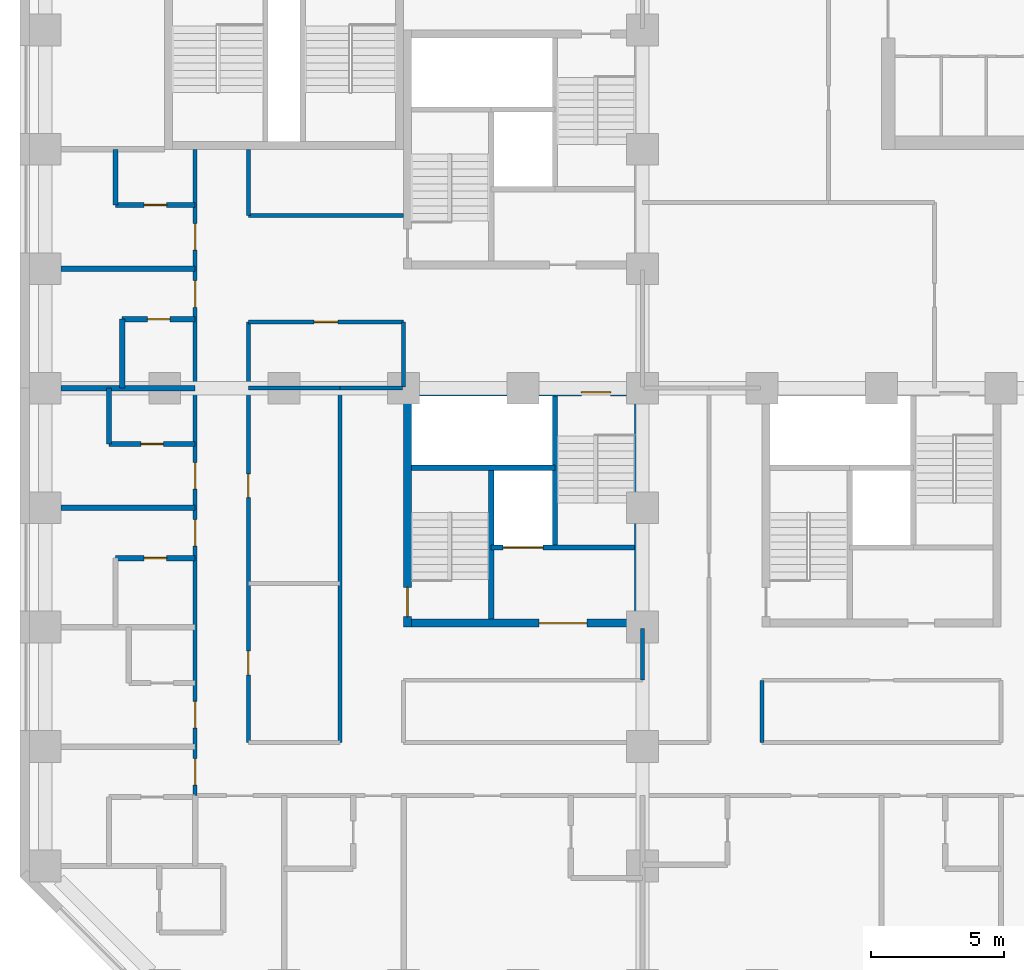
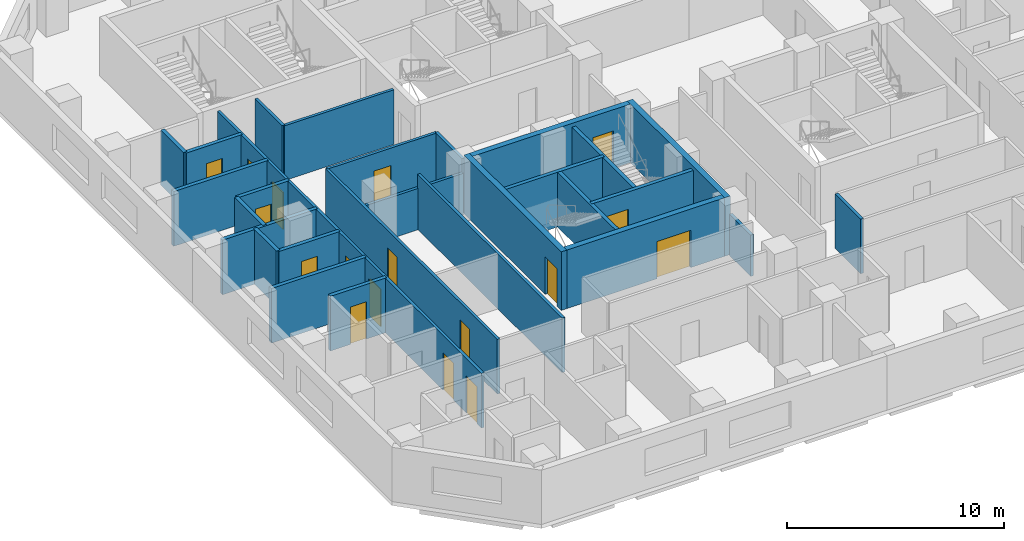
# One storey, part 3 of 12: 29 walls, 17 doors, 17 openings.
"""IFC4 building model written with IfcOpenShell, lengths in metres."""

from ifc_helpers import new_model, si_unit, direction, frame, frame_2d, origin, place, context, subcontext, project, spatial, rectangle, extrude, material, layer, layer_set, type_object, element, fill, save


model = new_model("IFC4")

# Units and contexts
model_context = context("Model", 3, precision=1e-05, world=origin(), true_north=direction((0.0, 1.0)))
body_context = subcontext(model_context, "Body", "Model", "MODEL_VIEW")
ifc_project = project(units=[si_unit("LENGTHUNIT", "METRE"), si_unit("AREAUNIT", "SQUARE_METRE"), si_unit("VOLUMEUNIT", "CUBIC_METRE"), si_unit("PLANEANGLEUNIT", "RADIAN"), si_unit("MASSUNIT", "GRAM", prefix="KILO")], contexts=[model_context])

# Site, building, storey
site_placement = place(None, origin())
site = spatial("IfcSite", under=ifc_project, at=site_placement, CompositionType="ELEMENT")
building_placement = place(site_placement, origin())
building = spatial("IfcBuilding", under=site, at=building_placement, Name="Quoin Convention Tower", CompositionType="ELEMENT")
storey_placement = place(building_placement, frame((0.0, 0.0, 59.39990234375)))
storey = spatial("IfcBuildingStorey", under=building, at=storey_placement, Name="L15", CompositionType="ELEMENT", Elevation=59.39990234375)

# Wall, opening, door
ifc_material_1 = material(Name="Concrete C50", Category="concrete")
ifc_layer_1 = layer(ifc_material_1, 0.199951171875)
ifc_layer_set_1 = layer_set([ifc_layer_1], Name="Concrete C50")
wall_type_1 = type_object("IfcWallType", Name="Core shaft wall", PredefinedType="SOLIDWALL", material=ifc_layer_set_1)
wall_1_placement = place(storey_placement, frame((30.300048828125, 34.5, 0.0), z_axis=(0.0, 0.0, 1.0), x_axis=(1.0, 0.0, 0.0)))
wall_1 = element("IfcWall", 1, at=wall_1_placement, inside=storey, type_object=wall_type_1, Name="cr-P4-L15-h3000_3300", PredefinedType="SOLIDWALL", context=body_context, shape_type="SweptSolid", body=[
    extrude(rectangle(XDim=5.39990234375, YDim=0.199951171875, at=frame_2d((2.699951171875, 0.0))), origin(), (0.0, 0.0, 1.0), 3.080078125),
])
opening_1_placement = place(wall_1_placement, frame((0.449951171875, 0.0, 0.0)))
opening_1 = element("IfcOpeningElement", 2, at=opening_1_placement, cuts=wall_1, Name="Opening LDGL1", PredefinedType="OPENING", context=body_context, shape_type="SweptSolid", body=[
    extrude(rectangle(XDim=1.5, YDim=2.10009765625, at=frame_2d((0.75, 1.050048828125))), frame((0.0, 0.10986328125, 0.0), z_axis=(0.0, -1.0, 0.0), x_axis=(1.0, 0.0, 0.0)), (0.0, 0.0, 1.0), 0.219970703125),
])
ifc_material_2 = material(Name="Steel door leaf", Category="steel")
door_type_1 = type_object("IfcDoorType", Name="Lift landing door 1500 x 2100", OperationType="DOUBLE_DOOR_SLIDING", PredefinedType="DOOR", material=ifc_material_2)
door_1_placement = place(opening_1_placement, origin())
door_1 = element("IfcDoor", 3, at=door_1_placement, inside=storey, type_object=door_type_1, Name="cd-P4-L15-CEN-R2-LDGL1", OperationType="DOUBLE_DOOR_SLIDING", OverallHeight=2.10009765625, OverallWidth=1.5, PredefinedType="DOOR", context=body_context, shape_type="SweptSolid", body=[
    extrude(rectangle(XDim=1.5, YDim=2.10009765625, at=frame_2d((0.75, 1.050048828125))), frame((0.0, 0.02490234375, 0.0), z_axis=(0.0, -1.0, 0.0), x_axis=(1.0, 0.0, 0.0)), (0.0, 0.0, 1.0), 0.050048828125),
])
fill(opening_1, door_1)

# Walls
wall_2_placement = place(storey_placement, frame((27.300048828125, 37.5, 0.0), z_axis=(0.0, 0.0, 1.0), x_axis=(1.0, 0.0, 0.0)))
element("IfcWall", 4, at=wall_2_placement, inside=storey, type_object=wall_type_1, Name="cr-P4-L15-h6000_300", PredefinedType="SOLIDWALL", context=body_context, shape_type="SweptSolid", body=[
    extrude(rectangle(XDim=5.39990234375, YDim=0.199951171875, at=frame_2d((2.699951171875, 0.0))), origin(), (0.0, 0.0, 1.0), 3.080078125),
])
for number, where, z_axis, x_axis, name in (
    (5, (30.300048828125, 31.800048828125, 0.0), (0.0, 0.0, 1.0), (0.0, 1.0, 0.0), "cr-P4-L15-v3300_300"),
    (6, (32.699951171875, 34.5, 0.0), (0.0, 0.0, 1.0), (0.0, 1.0, 0.0), "cr-P4-L15-v5700_3000"),
):
    element("IfcWall", number, at=place(storey_placement, frame(where, z_axis=z_axis, x_axis=x_axis)), inside=storey, type_object=wall_type_1, Name=name, PredefinedType="SOLIDWALL", context=body_context, shape_type="SweptSolid", body=[
        extrude(rectangle(XDim=5.699951171875, YDim=0.199951171875, at=frame_2d((2.85009765625, 0.0))), origin(), (0.0, 0.0, 1.0), 3.080078125),
    ])

# Wall, opening, door
ifc_material_3 = material(Name="Concrete C80", Category="concrete")
ifc_layer_2 = layer(ifc_material_3, 0.300048828125)
ifc_layer_set_2 = layer_set([ifc_layer_2], Name="Concrete C80")
wall_type_2 = type_object("IfcWallType", Name="RC CORE WALL 300 C80", PredefinedType="SHEAR", material=ifc_layer_set_2)
wall_3_placement = place(storey_placement, frame((27.300048828125, 31.64990234375, 0.0), z_axis=(0.0, 0.0, 1.0), x_axis=(1.0, 0.0, 0.0)))
wall_3 = element("IfcWall", 7, at=wall_3_placement, inside=storey, type_object=wall_type_2, Name="cwl-P4-L15-S", PredefinedType="SHEAR", context=body_context, shape_type="SweptSolid", body=[
    extrude(rectangle(XDim=8.39990234375, YDim=0.300048828125, at=frame_2d((4.199951171875, 0.0))), origin(), (0.0, 0.0, 1.0), 3.300048828125),
])
opening_2_placement = place(wall_3_placement, frame((4.800048828125, 0.0, 0.0)))
opening_2 = element("IfcOpeningElement", 8, at=opening_2_placement, cuts=wall_3, Name="Opening DCV5-53", PredefinedType="OPENING", context=body_context, shape_type="SweptSolid", body=[
    extrude(rectangle(XDim=1.800048828125, YDim=2.10009765625, at=frame_2d((0.89990234375, 1.050048828125))), frame((0.0, 0.159912109375, 0.0), z_axis=(0.0, -1.0, 0.0), x_axis=(1.0, 0.0, 0.0)), (0.0, 0.0, 1.0), 0.320068359375),
])
door_type_2 = type_object("IfcDoorType", Name="Goods lobby door 1800 x 2100", OperationType="SINGLE_SWING_LEFT", PredefinedType="DOOR", material=ifc_material_2)
door_2_placement = place(opening_2_placement, origin())
door_2 = element("IfcDoor", 9, at=door_2_placement, inside=storey, type_object=door_type_2, Name="cd-P4-L15-R2-S", OperationType="SINGLE_SWING_LEFT", OverallHeight=2.10009765625, OverallWidth=1.800048828125, PredefinedType="DOOR", context=body_context, shape_type="SweptSolid", body=[
    extrude(rectangle(XDim=1.800048828125, YDim=2.10009765625, at=frame_2d((0.89990234375, 1.050048828125))), frame((0.0, 0.02490234375, 0.0), z_axis=(0.0, -1.0, 0.0), x_axis=(1.0, 0.0, 0.0)), (0.0, 0.0, 1.0), 0.050048828125),
])
fill(opening_2, door_2)

wall_4_placement = place(storey_placement, frame((27.300048828125, 40.35009765625, 0.0), z_axis=(0.0, 0.0, 1.0), x_axis=(1.0, 0.0, 0.0)))
wall_4 = element("IfcWall", 10, at=wall_4_placement, inside=storey, type_object=wall_type_2, Name="cwl-P4-L15-N", PredefinedType="SHEAR", context=body_context, shape_type="SweptSolid", body=[
    extrude(rectangle(XDim=8.39990234375, YDim=0.300048828125, at=frame_2d((4.199951171875, 0.0))), origin(), (0.0, 0.0, 1.0), 3.300048828125),
])
opening_3_placement = place(wall_4_placement, frame((6.39990234375, 0.0, 0.0)))
opening_3 = element("IfcOpeningElement", 11, at=opening_3_placement, cuts=wall_4, Name="Opening SD8", PredefinedType="OPENING", context=body_context, shape_type="SweptSolid", body=[
    extrude(rectangle(XDim=1.10009765625, YDim=2.10009765625, at=frame_2d((0.550048828125, 1.050048828125))), frame((0.0, 0.159912109375, 0.0), z_axis=(0.0, -1.0, 0.0), x_axis=(1.0, 0.0, 0.0)), (0.0, 0.0, 1.0), 0.320068359375),
])
door_type_3 = type_object("IfcDoorType", Name="Stair door 1100 x 2100", OperationType="SINGLE_SWING_RIGHT", PredefinedType="DOOR", material=ifc_material_2)
door_3_placement = place(opening_3_placement, frame((1.10009765625, 0.0, 0.0), z_axis=(0.0, 0.0, 1.0), x_axis=(-1.0, 0.0, 0.0)))
door_3 = element("IfcDoor", 12, at=door_3_placement, inside=storey, type_object=door_type_3, Name="cd-P4-L15-SB-N", OperationType="SINGLE_SWING_LEFT", OverallHeight=2.10009765625, OverallWidth=1.10009765625, PredefinedType="DOOR", context=body_context, shape_type="SweptSolid", body=[
    extrude(rectangle(XDim=1.10009765625, YDim=2.10009765625, at=frame_2d((0.550048828125, 1.050048828125))), frame((0.0, 0.02490234375, 0.0), z_axis=(0.0, -1.0, 0.0), x_axis=(1.0, 0.0, 0.0)), (0.0, 0.0, 1.0), 0.050048828125),
])
fill(opening_3, door_3)

wall_5_placement = place(storey_placement, frame((27.14990234375, 31.5, 0.0), z_axis=(0.0, 0.0, 1.0), x_axis=(0.0, 1.0, 0.0)))
wall_5 = element("IfcWall", 13, at=wall_5_placement, inside=storey, type_object=wall_type_2, Name="cwl-P4-L15-W", PredefinedType="SHEAR", context=body_context, shape_type="SweptSolid", body=[
    extrude(rectangle(XDim=9.0, YDim=0.300048828125, at=frame_2d((4.5, 0.0))), origin(), (0.0, 0.0, 1.0), 3.300048828125),
])
opening_4_placement = place(wall_5_placement, frame((0.39990234375, 0.0, 0.0)))
opening_4 = element("IfcOpeningElement", 14, at=opening_4_placement, cuts=wall_5, Name="Opening SD7", PredefinedType="OPENING", context=body_context, shape_type="SweptSolid", body=[
    extrude(rectangle(XDim=1.10009765625, YDim=2.10009765625, at=frame_2d((0.550048828125, 1.050048828125))), frame((0.0, 0.159912109375, 0.0), z_axis=(0.0, -1.0, 0.0), x_axis=(1.0, 0.0, 0.0)), (0.0, 0.0, 1.0), 0.320068359375),
])
door_4_placement = place(opening_4_placement, frame((1.10009765625, 0.0, 0.0), z_axis=(0.0, 0.0, 1.0), x_axis=(-1.0, 0.0, 0.0)))
door_4 = element("IfcDoor", 15, at=door_4_placement, inside=storey, type_object=door_type_3, Name="cd-P4-L15-SA-W", OperationType="SINGLE_SWING_RIGHT", OverallHeight=2.10009765625, OverallWidth=1.10009765625, PredefinedType="DOOR", context=body_context, shape_type="SweptSolid", body=[
    extrude(rectangle(XDim=1.10009765625, YDim=2.10009765625, at=frame_2d((0.550048828125, 1.050048828125))), frame((0.0, 0.02490234375, 0.0), z_axis=(0.0, -1.0, 0.0), x_axis=(1.0, 0.0, 0.0)), (0.0, 0.0, 1.0), 0.050048828125),
])
fill(opening_4, door_4)

# Wall
wall_6_placement = place(storey_placement, frame((35.85009765625, 31.5, 0.0), z_axis=(0.0, 0.0, 1.0), x_axis=(0.0, 1.0, 0.0)))
element("IfcWall", 16, at=wall_6_placement, inside=storey, type_object=wall_type_2, Name="cwl-P4-L15-E", PredefinedType="SHEAR", context=body_context, shape_type="SweptSolid", body=[
    extrude(rectangle(XDim=9.0, YDim=0.300048828125, at=frame_2d((4.5, 0.0))), origin(), (0.0, 0.0, 1.0), 3.300048828125),
])

# Wall, opening, door
ifc_layer_3 = layer(ifc_material_1, 0.199951171875)
ifc_layer_set_3 = layer_set([ifc_layer_3], Name="Concrete C50")
wall_type_3 = type_object("IfcWallType", Name="RC party wall", PredefinedType="SOLIDWALL", material=ifc_layer_set_3)
wall_7_placement = place(storey_placement, frame((16.14990234375, 34.10009765625, 0.0), z_axis=(0.0, 0.0, 1.0), x_axis=(1.0, 0.0, 0.0)))
wall_7 = element("IfcWall", 17, at=wall_7_placement, inside=storey, type_object=wall_type_3, Name="pw-L15-077", PredefinedType="SOLIDWALL", context=body_context, shape_type="SweptSolid", body=[
    extrude(rectangle(XDim=3.0, YDim=0.199951171875, at=frame_2d((1.5, 0.0))), origin(), (0.0, 0.0, 1.0), 3.080078125),
])
opening_5_placement = place(wall_7_placement, frame((1.074951171875, 0.0, 0.0)))
opening_5 = element("IfcOpeningElement", 18, at=opening_5_placement, cuts=wall_7, Name="Opening DHOTEL-D-53", PredefinedType="OPENING", context=body_context, shape_type="SweptSolid", body=[
    extrude(rectangle(XDim=0.85009765625, YDim=2.10009765625, at=frame_2d((0.425048828125, 1.050048828125))), frame((0.0, 0.10986328125, 0.0), z_axis=(0.0, -1.0, 0.0), x_axis=(1.0, 0.0, 0.0)), (0.0, 0.0, 1.0), 0.219970703125),
])
door_type_4 = type_object("IfcDoorType", Name="Bathroom door", OperationType="SINGLE_SWING_LEFT", PredefinedType="DOOR", material=ifc_material_2)
door_5_placement = place(opening_5_placement, origin())
door_5 = element("IfcDoor", 19, at=door_5_placement, inside=storey, type_object=door_type_4, Name="dr-L15-014", OperationType="SINGLE_SWING_RIGHT", OverallHeight=2.10009765625, OverallWidth=0.85009765625, PredefinedType="DOOR", context=body_context, shape_type="SweptSolid", body=[
    extrude(rectangle(XDim=0.85009765625, YDim=2.10009765625, at=frame_2d((0.425048828125, 1.050048828125))), frame((0.0, 0.02490234375, 0.0), z_axis=(0.0, -1.0, 0.0), x_axis=(1.0, 0.0, 0.0)), (0.0, 0.0, 1.0), 0.050048828125),
])
fill(opening_5, door_5)

# Wall
wall_8_placement = place(storey_placement, frame((14.10009765625, 36.0, 0.0), z_axis=(0.0, 0.0, 1.0), x_axis=(1.0, 0.0, 0.0)))
element("IfcWall", 20, at=wall_8_placement, inside=storey, type_object=wall_type_3, Name="pw-L15-078", PredefinedType="SOLIDWALL", context=body_context, shape_type="SweptSolid", body=[
    extrude(rectangle(XDim=5.0498046875, YDim=0.199951171875, at=frame_2d((2.52490234375, 0.0))), origin(), (0.0, 0.0, 1.0), 3.080078125),
])

# Wall, opening, door
wall_9_placement = place(storey_placement, frame((15.89990234375, 38.39990234375, 0.0), z_axis=(0.0, 0.0, 1.0), x_axis=(1.0, 0.0, 0.0)))
wall_9 = element("IfcWall", 21, at=wall_9_placement, inside=storey, type_object=wall_type_3, Name="pw-L15-082", PredefinedType="SOLIDWALL", context=body_context, shape_type="SweptSolid", body=[
    extrude(rectangle(XDim=3.25, YDim=0.199951171875, at=frame_2d((1.625, 0.0))), origin(), (0.0, 0.0, 1.0), 3.080078125),
])
opening_6_placement = place(wall_9_placement, frame((1.199951171875, 0.0, 0.0)))
opening_6 = element("IfcOpeningElement", 22, at=opening_6_placement, cuts=wall_9, Name="Opening DHOTEL-D-55", PredefinedType="OPENING", context=body_context, shape_type="SweptSolid", body=[
    extrude(rectangle(XDim=0.85009765625, YDim=2.10009765625, at=frame_2d((0.425048828125, 1.050048828125))), frame((0.0, 0.10986328125, 0.0), z_axis=(0.0, -1.0, 0.0), x_axis=(1.0, 0.0, 0.0)), (0.0, 0.0, 1.0), 0.219970703125),
])
door_6_placement = place(opening_6_placement, frame((0.85009765625, 0.0, 0.0), z_axis=(0.0, 0.0, 1.0), x_axis=(-1.0, 0.0, 0.0)))
door_6 = element("IfcDoor", 23, at=door_6_placement, inside=storey, type_object=door_type_4, Name="dr-L15-016", OperationType="SINGLE_SWING_LEFT", OverallHeight=2.10009765625, OverallWidth=0.85009765625, PredefinedType="DOOR", context=body_context, shape_type="SweptSolid", body=[
    extrude(rectangle(XDim=0.85009765625, YDim=2.10009765625, at=frame_2d((0.425048828125, 1.050048828125))), frame((0.0, 0.02490234375, 0.0), z_axis=(0.0, -1.0, 0.0), x_axis=(1.0, 0.0, 0.0)), (0.0, 0.0, 1.0), 0.050048828125),
])
fill(opening_6, door_6)

# Walls
wall_10_placement = place(storey_placement, frame((15.89990234375, 38.39990234375, 0.0), z_axis=(0.0, 0.0, 1.0), x_axis=(0.0, 1.0, 0.0)))
element("IfcWall", 24, at=wall_10_placement, inside=storey, type_object=wall_type_3, Name="pw-L15-083", PredefinedType="SOLIDWALL", context=body_context, shape_type="SweptSolid", body=[
    extrude(rectangle(XDim=2.10009765625, YDim=0.199951171875, at=frame_2d((1.050048828125, 0.0))), origin(), (0.0, 0.0, 1.0), 3.080078125),
])
wall_11_placement = place(storey_placement, frame((14.10009765625, 40.5, 0.0), z_axis=(0.0, 0.0, 1.0), x_axis=(1.0, 0.0, 0.0)))
element("IfcWall", 25, at=wall_11_placement, inside=storey, type_object=wall_type_3, Name="pw-L15-084", PredefinedType="SOLIDWALL", context=body_context, shape_type="SweptSolid", body=[
    extrude(rectangle(XDim=5.0498046875, YDim=0.199951171875, at=frame_2d((2.52490234375, 0.0))), origin(), (0.0, 0.0, 1.0), 3.080078125),
])
wall_12_placement = place(storey_placement, frame((16.39990234375, 40.5, 0.0), z_axis=(0.0, 0.0, 1.0), x_axis=(0.0, 1.0, 0.0)))
element("IfcWall", 26, at=wall_12_placement, inside=storey, type_object=wall_type_3, Name="pw-L15-085", PredefinedType="SOLIDWALL", context=body_context, shape_type="SweptSolid", body=[
    extrude(rectangle(XDim=2.60009765625, YDim=0.199951171875, at=frame_2d((1.300048828125, 0.0))), origin(), (0.0, 0.0, 1.0), 3.080078125),
])

# Wall, opening, door
wall_13_placement = place(storey_placement, frame((16.39990234375, 43.10009765625, 0.0), z_axis=(0.0, 0.0, 1.0), x_axis=(1.0, 0.0, 0.0)))
wall_13 = element("IfcWall", 27, at=wall_13_placement, inside=storey, type_object=wall_type_3, Name="pw-L15-091", PredefinedType="SOLIDWALL", context=body_context, shape_type="SweptSolid", body=[
    extrude(rectangle(XDim=2.75, YDim=0.199951171875, at=frame_2d((1.375, 0.0))), origin(), (0.0, 0.0, 1.0), 3.080078125),
])
opening_7_placement = place(wall_13_placement, frame((0.949951171875, 0.0, 0.0)))
opening_7 = element("IfcOpeningElement", 28, at=opening_7_placement, cuts=wall_13, Name="Opening DHOTEL-D-57", PredefinedType="OPENING", context=body_context, shape_type="SweptSolid", body=[
    extrude(rectangle(XDim=0.85009765625, YDim=2.10009765625, at=frame_2d((0.425048828125, 1.050048828125))), frame((0.0, 0.10986328125, 0.0), z_axis=(0.0, -1.0, 0.0), x_axis=(1.0, 0.0, 0.0)), (0.0, 0.0, 1.0), 0.219970703125),
])
door_7_placement = place(opening_7_placement, origin())
door_7 = element("IfcDoor", 29, at=door_7_placement, inside=storey, type_object=door_type_4, Name="dr-L15-018", OperationType="SINGLE_SWING_RIGHT", OverallHeight=2.10009765625, OverallWidth=0.85009765625, PredefinedType="DOOR", context=body_context, shape_type="SweptSolid", body=[
    extrude(rectangle(XDim=0.85009765625, YDim=2.10009765625, at=frame_2d((0.425048828125, 1.050048828125))), frame((0.0, 0.02490234375, 0.0), z_axis=(0.0, -1.0, 0.0), x_axis=(1.0, 0.0, 0.0)), (0.0, 0.0, 1.0), 0.050048828125),
])
fill(opening_7, door_7)

# Wall
wall_14_placement = place(storey_placement, frame((14.10009765625, 45.0, 0.0), z_axis=(0.0, 0.0, 1.0), x_axis=(1.0, 0.0, 0.0)))
element("IfcWall", 30, at=wall_14_placement, inside=storey, type_object=wall_type_3, Name="pw-L15-096", PredefinedType="SOLIDWALL", context=body_context, shape_type="SweptSolid", body=[
    extrude(rectangle(XDim=5.0498046875, YDim=0.199951171875, at=frame_2d((2.52490234375, 0.0))), origin(), (0.0, 0.0, 1.0), 3.080078125),
])

# Wall, opening, door
wall_15_placement = place(storey_placement, frame((16.14990234375, 47.39990234375, 0.0), z_axis=(0.0, 0.0, 1.0), x_axis=(1.0, 0.0, 0.0)))
wall_15 = element("IfcWall", 31, at=wall_15_placement, inside=storey, type_object=wall_type_3, Name="pw-L15-100", PredefinedType="SOLIDWALL", context=body_context, shape_type="SweptSolid", body=[
    extrude(rectangle(XDim=3.0, YDim=0.199951171875, at=frame_2d((1.5, 0.0))), origin(), (0.0, 0.0, 1.0), 3.080078125),
])
opening_8_placement = place(wall_15_placement, frame((1.074951171875, 0.0, 0.0)))
opening_8 = element("IfcOpeningElement", 32, at=opening_8_placement, cuts=wall_15, Name="Opening DHOTEL-D-60", PredefinedType="OPENING", context=body_context, shape_type="SweptSolid", body=[
    extrude(rectangle(XDim=0.85009765625, YDim=2.10009765625, at=frame_2d((0.425048828125, 1.050048828125))), frame((0.0, 0.10986328125, 0.0), z_axis=(0.0, -1.0, 0.0), x_axis=(1.0, 0.0, 0.0)), (0.0, 0.0, 1.0), 0.219970703125),
])
door_8_placement = place(opening_8_placement, frame((0.85009765625, 0.0, 0.0), z_axis=(0.0, 0.0, 1.0), x_axis=(-1.0, 0.0, 0.0)))
door_8 = element("IfcDoor", 33, at=door_8_placement, inside=storey, type_object=door_type_4, Name="dr-L15-020", OperationType="SINGLE_SWING_LEFT", OverallHeight=2.10009765625, OverallWidth=0.85009765625, PredefinedType="DOOR", context=body_context, shape_type="SweptSolid", body=[
    extrude(rectangle(XDim=0.85009765625, YDim=2.10009765625, at=frame_2d((0.425048828125, 1.050048828125))), frame((0.0, 0.02490234375, 0.0), z_axis=(0.0, -1.0, 0.0), x_axis=(1.0, 0.0, 0.0)), (0.0, 0.0, 1.0), 0.050048828125),
])
fill(opening_8, door_8)

# Wall
wall_16_placement = place(storey_placement, frame((16.14990234375, 47.39990234375, 0.0), z_axis=(0.0, 0.0, 1.0), x_axis=(0.0, 1.0, 0.0)))
element("IfcWall", 34, at=wall_16_placement, inside=storey, type_object=wall_type_3, Name="pw-L15-101", PredefinedType="SOLIDWALL", context=body_context, shape_type="SweptSolid", body=[
    extrude(rectangle(XDim=2.10009765625, YDim=0.199951171875, at=frame_2d((1.050048828125, 0.0))), origin(), (0.0, 0.0, 1.0), 3.080078125),
])

# Wall, openings, doors
ifc_material_4 = material(Name="Plasterboard")
ifc_layer_4 = layer(ifc_material_4, 0.012451171875, Name="Finish")
ifc_material_5 = material(Name="Steel stud framing", Category="steel")
ifc_layer_5 = layer(ifc_material_5, 0.125, Name="Structure")
ifc_layer_6 = layer(ifc_material_4, 0.012451171875, Name="Finish")
ifc_layer_set_4 = layer_set([ifc_layer_4, ifc_layer_5, ifc_layer_6], Name="Steel stud framing")
wall_type_4 = type_object("IfcWallType", Name="corridor partition", PredefinedType="PARTITIONING", material=ifc_layer_set_4)
wall_17_placement = place(storey_placement, frame((19.14990234375, 25.14990234375, 0.0), z_axis=(0.0, 0.0, 1.0), x_axis=(0.0, 1.0, 0.0)))
wall_17 = element("IfcWall", 35, at=wall_17_placement, inside=storey, type_object=wall_type_4, Name="pw-L15-006", PredefinedType="PARTITIONING", context=body_context, shape_type="SweptSolid", body=[
    extrude(rectangle(XDim=24.35009765625, YDim=0.14990234375, at=frame_2d((12.175048828125, 0.0))), origin(), (0.0, 0.0, 1.0), 3.080078125),
])
opening_9_placement = place(wall_17_placement, frame((0.39990234375, 0.0, 0.0)))
opening_9 = element("IfcOpeningElement", 36, at=opening_9_placement, cuts=wall_17, Name="Opening DHOTEL-D-07", PredefinedType="OPENING", context=body_context, shape_type="SweptSolid", body=[
    extrude(rectangle(XDim=1.0, YDim=2.10009765625, at=frame_2d((0.5, 1.050048828125))), frame((0.0, 0.0849609375, 0.0), z_axis=(0.0, -1.0, 0.0), x_axis=(1.0, 0.0, 0.0)), (0.0, 0.0, 1.0), 0.169921875),
])
opening_10_placement = place(wall_17_placement, frame((2.550048828125, 0.0, 0.0)))
opening_10 = element("IfcOpeningElement", 37, at=opening_10_placement, cuts=wall_17, Name="Opening DHOTEL-D-08", PredefinedType="OPENING", context=body_context, shape_type="SweptSolid", body=[
    extrude(rectangle(XDim=1.0, YDim=2.10009765625, at=frame_2d((0.5, 1.050048828125))), frame((0.0, 0.0849609375, 0.0), z_axis=(0.0, -1.0, 0.0), x_axis=(1.0, 0.0, 0.0)), (0.0, 0.0, 1.0), 0.169921875),
])
opening_11_placement = place(wall_17_placement, frame((9.39990234375, 0.0, 0.0)))
opening_11 = element("IfcOpeningElement", 38, at=opening_11_placement, cuts=wall_17, Name="Opening DHOTEL-D-09", PredefinedType="OPENING", context=body_context, shape_type="SweptSolid", body=[
    extrude(rectangle(XDim=1.0, YDim=2.10009765625, at=frame_2d((0.5, 1.050048828125))), frame((0.0, 0.0849609375, 0.0), z_axis=(0.0, -1.0, 0.0), x_axis=(1.0, 0.0, 0.0)), (0.0, 0.0, 1.0), 0.169921875),
])
opening_12_placement = place(wall_17_placement, frame((11.550048828125, 0.0, 0.0)))
opening_12 = element("IfcOpeningElement", 39, at=opening_12_placement, cuts=wall_17, Name="Opening DHOTEL-D-10", PredefinedType="OPENING", context=body_context, shape_type="SweptSolid", body=[
    extrude(rectangle(XDim=1.0, YDim=2.10009765625, at=frame_2d((0.5, 1.050048828125))), frame((0.0, 0.0849609375, 0.0), z_axis=(0.0, -1.0, 0.0), x_axis=(1.0, 0.0, 0.0)), (0.0, 0.0, 1.0), 0.169921875),
])
opening_13_placement = place(wall_17_placement, frame((18.39990234375, 0.0, 0.0)))
opening_13 = element("IfcOpeningElement", 40, at=opening_13_placement, cuts=wall_17, Name="Opening DHOTEL-D-11", PredefinedType="OPENING", context=body_context, shape_type="SweptSolid", body=[
    extrude(rectangle(XDim=1.0, YDim=2.10009765625, at=frame_2d((0.5, 1.050048828125))), frame((0.0, 0.0849609375, 0.0), z_axis=(0.0, -1.0, 0.0), x_axis=(1.0, 0.0, 0.0)), (0.0, 0.0, 1.0), 0.169921875),
])
opening_14_placement = place(wall_17_placement, frame((20.550048828125, 0.0, 0.0)))
opening_14 = element("IfcOpeningElement", 41, at=opening_14_placement, cuts=wall_17, Name="Opening DHOTEL-D-12", PredefinedType="OPENING", context=body_context, shape_type="SweptSolid", body=[
    extrude(rectangle(XDim=1.0, YDim=2.10009765625, at=frame_2d((0.5, 1.050048828125))), frame((0.0, 0.0849609375, 0.0), z_axis=(0.0, -1.0, 0.0), x_axis=(1.0, 0.0, 0.0)), (0.0, 0.0, 1.0), 0.169921875),
])
door_type_5 = type_object("IfcDoorType", Name="Hotel room door", OperationType="SINGLE_SWING_LEFT", PredefinedType="DOOR", material=ifc_material_2)
door_9_placement = place(opening_9_placement, origin())
door_9 = element("IfcDoor", 42, at=door_9_placement, inside=storey, type_object=door_type_5, Name="dr-L15-009", OperationType="SINGLE_SWING_RIGHT", OverallHeight=2.10009765625, OverallWidth=1.0, PredefinedType="DOOR", context=body_context, shape_type="SweptSolid", body=[
    extrude(rectangle(XDim=1.0, YDim=2.10009765625, at=frame_2d((0.5, 1.050048828125))), frame((0.0, 0.02490234375, 0.0), z_axis=(0.0, -1.0, 0.0), x_axis=(1.0, 0.0, 0.0)), (0.0, 0.0, 1.0), 0.050048828125),
])
fill(opening_9, door_9)
door_10_placement = place(opening_10_placement, origin())
door_10 = element("IfcDoor", 43, at=door_10_placement, inside=storey, type_object=door_type_5, Name="dr-L15-011", OperationType="SINGLE_SWING_RIGHT", OverallHeight=2.10009765625, OverallWidth=1.0, PredefinedType="DOOR", context=body_context, shape_type="SweptSolid", body=[
    extrude(rectangle(XDim=1.0, YDim=2.10009765625, at=frame_2d((0.5, 1.050048828125))), frame((0.0, 0.02490234375, 0.0), z_axis=(0.0, -1.0, 0.0), x_axis=(1.0, 0.0, 0.0)), (0.0, 0.0, 1.0), 0.050048828125),
])
fill(opening_10, door_10)
door_11_placement = place(opening_11_placement, origin())
door_11 = element("IfcDoor", 44, at=door_11_placement, inside=storey, type_object=door_type_5, Name="dr-L15-013", OperationType="SINGLE_SWING_RIGHT", OverallHeight=2.10009765625, OverallWidth=1.0, PredefinedType="DOOR", context=body_context, shape_type="SweptSolid", body=[
    extrude(rectangle(XDim=1.0, YDim=2.10009765625, at=frame_2d((0.5, 1.050048828125))), frame((0.0, 0.02490234375, 0.0), z_axis=(0.0, -1.0, 0.0), x_axis=(1.0, 0.0, 0.0)), (0.0, 0.0, 1.0), 0.050048828125),
])
fill(opening_11, door_11)
door_12_placement = place(opening_12_placement, origin())
door_12 = element("IfcDoor", 45, at=door_12_placement, inside=storey, type_object=door_type_5, Name="dr-L15-015", OperationType="SINGLE_SWING_RIGHT", OverallHeight=2.10009765625, OverallWidth=1.0, PredefinedType="DOOR", context=body_context, shape_type="SweptSolid", body=[
    extrude(rectangle(XDim=1.0, YDim=2.10009765625, at=frame_2d((0.5, 1.050048828125))), frame((0.0, 0.02490234375, 0.0), z_axis=(0.0, -1.0, 0.0), x_axis=(1.0, 0.0, 0.0)), (0.0, 0.0, 1.0), 0.050048828125),
])
fill(opening_12, door_12)
door_13_placement = place(opening_13_placement, origin())
door_13 = element("IfcDoor", 46, at=door_13_placement, inside=storey, type_object=door_type_5, Name="dr-L15-017", OperationType="SINGLE_SWING_RIGHT", OverallHeight=2.10009765625, OverallWidth=1.0, PredefinedType="DOOR", context=body_context, shape_type="SweptSolid", body=[
    extrude(rectangle(XDim=1.0, YDim=2.10009765625, at=frame_2d((0.5, 1.050048828125))), frame((0.0, 0.02490234375, 0.0), z_axis=(0.0, -1.0, 0.0), x_axis=(1.0, 0.0, 0.0)), (0.0, 0.0, 1.0), 0.050048828125),
])
fill(opening_13, door_13)
door_14_placement = place(opening_14_placement, origin())
door_14 = element("IfcDoor", 47, at=door_14_placement, inside=storey, type_object=door_type_5, Name="dr-L15-019", OperationType="SINGLE_SWING_RIGHT", OverallHeight=2.10009765625, OverallWidth=1.0, PredefinedType="DOOR", context=body_context, shape_type="SweptSolid", body=[
    extrude(rectangle(XDim=1.0, YDim=2.10009765625, at=frame_2d((0.5, 1.050048828125))), frame((0.0, 0.02490234375, 0.0), z_axis=(0.0, -1.0, 0.0), x_axis=(1.0, 0.0, 0.0)), (0.0, 0.0, 1.0), 0.050048828125),
])
fill(opening_14, door_14)

wall_18_placement = place(storey_placement, frame((21.14990234375, 27.14990234375, 0.0), z_axis=(0.0, 0.0, 1.0), x_axis=(0.0, 1.0, 0.0)))
wall_18 = element("IfcWall", 48, at=wall_18_placement, inside=storey, type_object=wall_type_4, Name="pw-L15-009", PredefinedType="PARTITIONING", context=body_context, shape_type="SweptSolid", body=[
    extrude(rectangle(XDim=15.85009765625, YDim=0.14990234375, at=frame_2d((7.925048828125, 0.0))), origin(), (0.0, 0.0, 1.0), 3.080078125),
])
opening_15_placement = place(wall_18_placement, frame((2.550048828125, 0.0, 0.0)))
opening_15 = element("IfcOpeningElement", 49, at=opening_15_placement, cuts=wall_18, Name="Opening DHOTEL-D-18", PredefinedType="OPENING", context=body_context, shape_type="SweptSolid", body=[
    extrude(rectangle(XDim=0.89990234375, YDim=2.10009765625, at=frame_2d((0.449951171875, 1.050048828125))), frame((0.0, 0.0849609375, 0.0), z_axis=(0.0, -1.0, 0.0), x_axis=(1.0, 0.0, 0.0)), (0.0, 0.0, 1.0), 0.169921875),
])
opening_16_placement = place(wall_18_placement, frame((9.22509765625, 0.0, 0.0)))
opening_16 = element("IfcOpeningElement", 50, at=opening_16_placement, cuts=wall_18, Name="Opening DHOTEL-D-19", PredefinedType="OPENING", context=body_context, shape_type="SweptSolid", body=[
    extrude(rectangle(XDim=0.89990234375, YDim=2.10009765625, at=frame_2d((0.449951171875, 1.050048828125))), frame((0.0, 0.0849609375, 0.0), z_axis=(0.0, -1.0, 0.0), x_axis=(1.0, 0.0, 0.0)), (0.0, 0.0, 1.0), 0.169921875),
])
door_type_6 = type_object("IfcDoorType", Name="Service room door", OperationType="SINGLE_SWING_LEFT", PredefinedType="DOOR", material=ifc_material_2)
door_15_placement = place(opening_15_placement, frame((0.89990234375, 0.0, 0.0), z_axis=(0.0, 0.0, 1.0), x_axis=(-1.0, 0.0, 0.0)))
door_15 = element("IfcDoor", 51, at=door_15_placement, inside=storey, type_object=door_type_6, Name="dr-L15-071", OperationType="SINGLE_SWING_LEFT", OverallHeight=2.10009765625, OverallWidth=0.89990234375, PredefinedType="DOOR", context=body_context, shape_type="SweptSolid", body=[
    extrude(rectangle(XDim=0.89990234375, YDim=2.10009765625, at=frame_2d((0.449951171875, 1.050048828125))), frame((0.0, 0.02490234375, 0.0), z_axis=(0.0, -1.0, 0.0), x_axis=(1.0, 0.0, 0.0)), (0.0, 0.0, 1.0), 0.050048828125),
])
fill(opening_15, door_15)
door_16_placement = place(opening_16_placement, frame((0.89990234375, 0.0, 0.0), z_axis=(0.0, 0.0, 1.0), x_axis=(-1.0, 0.0, 0.0)))
door_16 = element("IfcDoor", 52, at=door_16_placement, inside=storey, type_object=door_type_6, Name="dr-L15-072", OperationType="SINGLE_SWING_LEFT", OverallHeight=2.10009765625, OverallWidth=0.89990234375, PredefinedType="DOOR", context=body_context, shape_type="SweptSolid", body=[
    extrude(rectangle(XDim=0.89990234375, YDim=2.10009765625, at=frame_2d((0.449951171875, 1.050048828125))), frame((0.0, 0.02490234375, 0.0), z_axis=(0.0, -1.0, 0.0), x_axis=(1.0, 0.0, 0.0)), (0.0, 0.0, 1.0), 0.050048828125),
])
fill(opening_16, door_16)

# Walls
wall_19_placement = place(storey_placement, frame((24.60009765625, 27.14990234375, 0.0), z_axis=(0.0, 0.0, 1.0), x_axis=(0.0, 1.0, 0.0)))
element("IfcWall", 53, at=wall_19_placement, inside=storey, type_object=wall_type_4, Name="pw-L15-010", PredefinedType="PARTITIONING", context=body_context, shape_type="SweptSolid", body=[
    extrude(rectangle(XDim=13.35009765625, YDim=0.14990234375, at=frame_2d((6.675048828125, 0.0))), origin(), (0.0, 0.0, 1.0), 3.080078125),
])
wall_20_placement = place(storey_placement, frame((40.5, 27.14990234375, 0.0), z_axis=(0.0, 0.0, 1.0), x_axis=(0.0, 1.0, 0.0)))
element("IfcWall", 54, at=wall_20_placement, inside=storey, type_object=wall_type_4, Name="pw-L15-015", PredefinedType="PARTITIONING", context=body_context, shape_type="SweptSolid", body=[
    extrude(rectangle(XDim=2.35009765625, YDim=0.14990234375, at=frame_2d((1.175048828125, 0.0))), origin(), (0.0, 0.0, 1.0), 3.080078125),
])
wall_21_placement = place(storey_placement, frame((27.0, 40.550048828125, 0.0), z_axis=(0.0, 0.0, 1.0), x_axis=(0.0, 1.0, 0.0)))
element("IfcWall", 55, at=wall_21_placement, inside=storey, type_object=wall_type_4, Name="pw-L15-022", PredefinedType="PARTITIONING", context=body_context, shape_type="SweptSolid", body=[
    extrude(rectangle(XDim=2.449951171875, YDim=0.14990234375, at=frame_2d((1.22509765625, 0.0))), origin(), (0.0, 0.0, 1.0), 3.080078125),
])

# Wall, opening, door
wall_22_placement = place(storey_placement, frame((21.14990234375, 43.0, 0.0), z_axis=(0.0, 0.0, 1.0), x_axis=(1.0, 0.0, 0.0)))
wall_22 = element("IfcWall", 56, at=wall_22_placement, inside=storey, type_object=wall_type_4, Name="pw-L15-025", PredefinedType="PARTITIONING", context=body_context, shape_type="SweptSolid", body=[
    extrude(rectangle(XDim=5.85009765625, YDim=0.14990234375, at=frame_2d((2.925048828125, 0.0))), origin(), (0.0, 0.0, 1.0), 3.080078125),
])
opening_17_placement = place(wall_22_placement, frame((2.47509765625, 0.0, 0.0)))
opening_17 = element("IfcOpeningElement", 57, at=opening_17_placement, cuts=wall_22, Name="Opening DHOTEL-D-23", PredefinedType="OPENING", context=body_context, shape_type="SweptSolid", body=[
    extrude(rectangle(XDim=0.89990234375, YDim=2.10009765625, at=frame_2d((0.449951171875, 1.050048828125))), frame((0.0, 0.0849609375, 0.0), z_axis=(0.0, -1.0, 0.0), x_axis=(1.0, 0.0, 0.0)), (0.0, 0.0, 1.0), 0.169921875),
])
door_type_7 = type_object("IfcDoorType", Name="Toilet door", OperationType="SINGLE_SWING_LEFT", PredefinedType="DOOR", material=ifc_material_2)
door_17_placement = place(opening_17_placement, frame((0.89990234375, 0.0, 0.0), z_axis=(0.0, 0.0, 1.0), x_axis=(-1.0, 0.0, 0.0)))
door_17 = element("IfcDoor", 58, at=door_17_placement, inside=storey, type_object=door_type_7, Name="dr-L15-076", OperationType="SINGLE_SWING_LEFT", OverallHeight=2.10009765625, OverallWidth=0.89990234375, PredefinedType="DOOR", context=body_context, shape_type="SweptSolid", body=[
    extrude(rectangle(XDim=0.89990234375, YDim=2.10009765625, at=frame_2d((0.449951171875, 1.050048828125))), frame((0.0, 0.02490234375, 0.0), z_axis=(0.0, -1.0, 0.0), x_axis=(1.0, 0.0, 0.0)), (0.0, 0.0, 1.0), 0.050048828125),
])
fill(opening_17, door_17)

# Walls
wall_23_placement = place(storey_placement, frame((21.14990234375, 47.0, 0.0), z_axis=(0.0, 0.0, 1.0), x_axis=(1.0, 0.0, 0.0)))
element("IfcWall", 59, at=wall_23_placement, inside=storey, type_object=wall_type_4, Name="pw-L15-026", PredefinedType="PARTITIONING", context=body_context, shape_type="SweptSolid", body=[
    extrude(rectangle(XDim=5.85009765625, YDim=0.14990234375, at=frame_2d((2.925048828125, 0.0))), origin(), (0.0, 0.0, 1.0), 3.080078125),
])
wall_24_placement = place(storey_placement, frame((21.14990234375, 47.0, 0.0), z_axis=(0.0, 0.0, 1.0), x_axis=(0.0, 1.0, 0.0)))
element("IfcWall", 60, at=wall_24_placement, inside=storey, type_object=wall_type_4, Name="pw-L15-027", PredefinedType="PARTITIONING", context=body_context, shape_type="SweptSolid", body=[
    extrude(rectangle(XDim=2.5, YDim=0.14990234375, at=frame_2d((1.25, 0.0))), origin(), (0.0, 0.0, 1.0), 3.080078125),
])
ifc_layer_7 = layer(ifc_material_4, 0.012451171875, Name="Finish")
ifc_layer_8 = layer(ifc_material_5, 0.125, Name="Structure")
ifc_layer_9 = layer(ifc_material_4, 0.012451171875, Name="Finish")
ifc_layer_set_5 = layer_set([ifc_layer_7, ifc_layer_8, ifc_layer_9], Name="Steel stud framing")
wall_type_5 = type_object("IfcWallType", Name="corridor partition under beam 750", PredefinedType="PARTITIONING", material=ifc_layer_set_5)
wall_25_placement = place(storey_placement, frame((36.0, 29.5, 0.0), z_axis=(0.0, 0.0, 1.0), x_axis=(0.0, 1.0, 0.0)))
element("IfcWall", 61, at=wall_25_placement, inside=storey, type_object=wall_type_5, Name="pw-L15-018", PredefinedType="PARTITIONING", context=body_context, shape_type="SweptSolid", body=[
    extrude(rectangle(XDim=1.949951171875, YDim=0.14990234375, at=frame_2d((0.97509765625, 0.0))), origin(), (0.0, 0.0, 1.0), 2.330078125),
])
wall_26_placement = place(storey_placement, frame((24.60009765625, 40.5, 0.0), z_axis=(0.0, 0.0, 1.0), x_axis=(1.0, 0.0, 0.0)))
element("IfcWall", 62, at=wall_26_placement, inside=storey, type_object=wall_type_5, Name="pw-L15-020", PredefinedType="PARTITIONING", context=body_context, shape_type="SweptSolid", body=[
    extrude(rectangle(XDim=2.349853515625, YDim=0.14990234375, at=frame_2d((1.1748046875, 0.0))), origin(), (0.0, 0.0, 1.0), 2.330078125),
])
ifc_layer_10 = layer(ifc_material_4, 0.012451171875, Name="Finish")
ifc_layer_11 = layer(ifc_material_5, 0.125, Name="Structure")
ifc_layer_12 = layer(ifc_material_4, 0.012451171875, Name="Finish")
ifc_layer_set_6 = layer_set([ifc_layer_10, ifc_layer_11, ifc_layer_12], Name="Steel stud framing")
wall_type_6 = type_object("IfcWallType", Name="room partition under beam 750", PredefinedType="PARTITIONING", material=ifc_layer_set_6)
wall_27_placement = place(storey_placement, frame((21.14990234375, 40.5, 0.0), z_axis=(0.0, 0.0, 1.0), x_axis=(1.0, 0.0, 0.0)))
element("IfcWall", 63, at=wall_27_placement, inside=storey, type_object=wall_type_6, Name="pw-L15-159", PredefinedType="PARTITIONING", context=body_context, shape_type="SweptSolid", body=[
    extrude(rectangle(XDim=3.4501953125, YDim=0.14990234375, at=frame_2d((1.72509765625, 0.0))), origin(), (0.0, 0.0, 1.0), 2.330078125),
])

save(model, "model.ifc")
